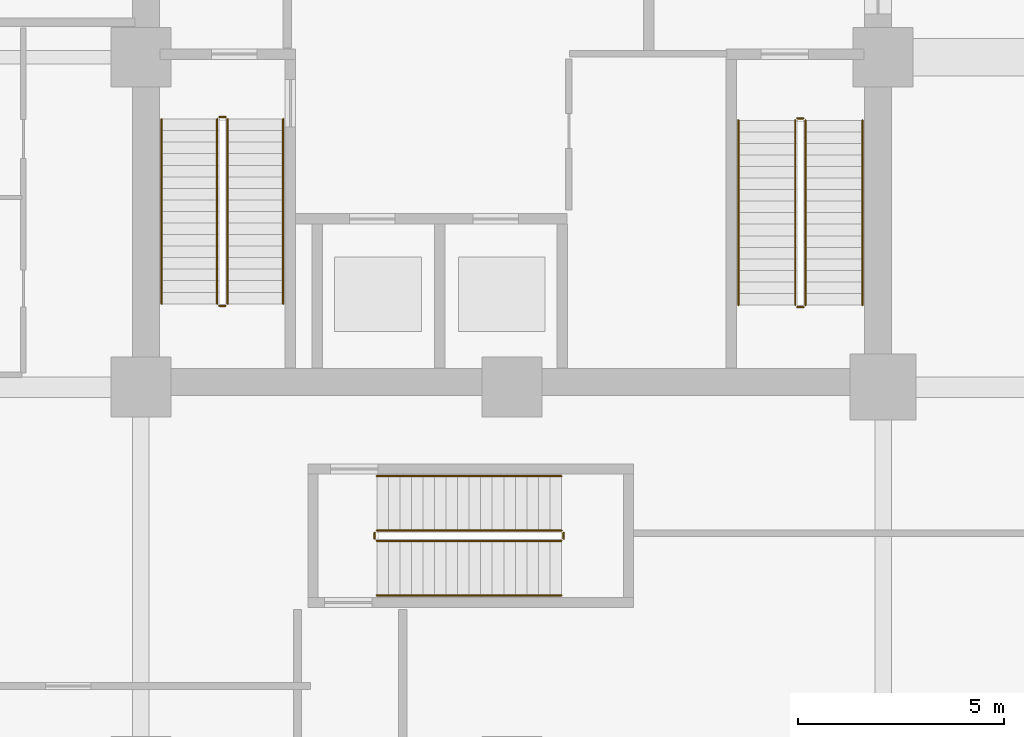
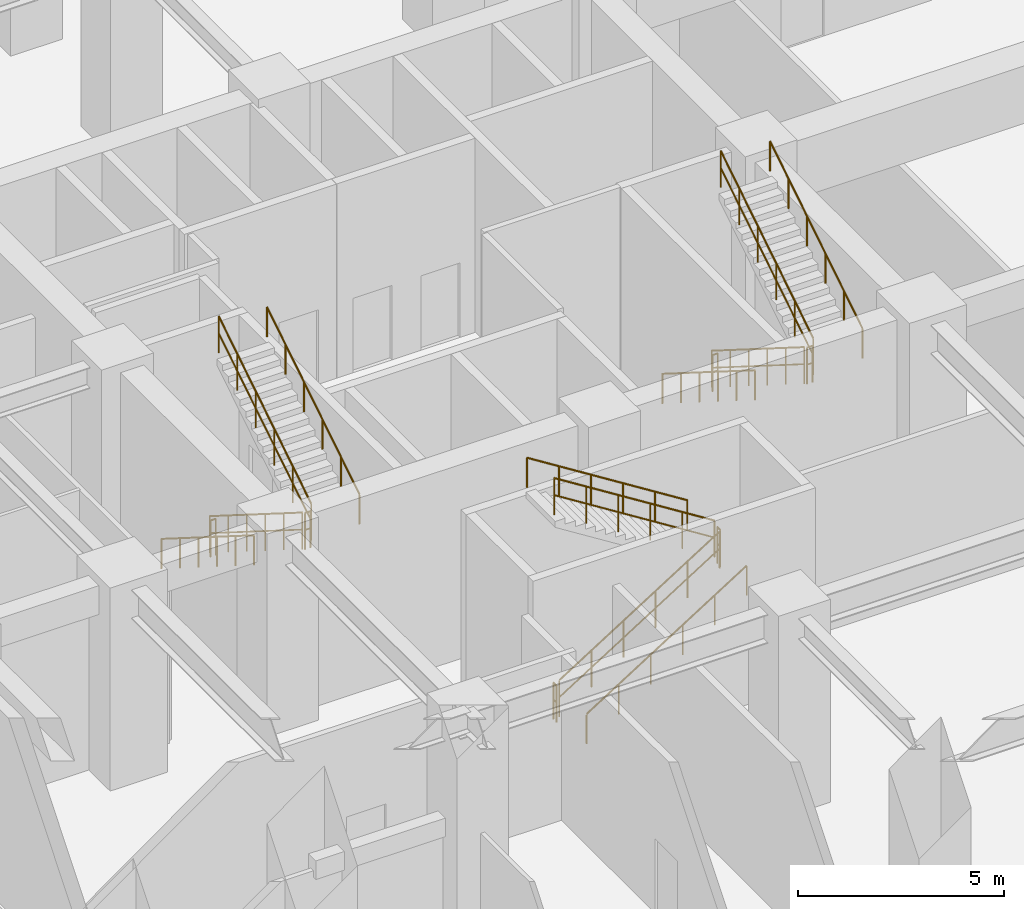
# One storey, part 9 of 13: 18 railings.
"""IFC4 building model written with IfcOpenShell, lengths in metres."""

from ifc_helpers import new_model, si_unit, direction, frame, origin, origin_2d, place, context, subcontext, project, spatial, circle, extrude, material, type_object, element, save


model = new_model("IFC4")

# Units and contexts
model_context = context("Model", 3, precision=1e-05, world=origin(), true_north=direction((0.0, 1.0)))
body_context = subcontext(model_context, "Body", "Model", "MODEL_VIEW")
ifc_project = project(units=[si_unit("LENGTHUNIT", "METRE"), si_unit("AREAUNIT", "SQUARE_METRE"), si_unit("VOLUMEUNIT", "CUBIC_METRE"), si_unit("PLANEANGLEUNIT", "RADIAN"), si_unit("MASSUNIT", "GRAM", prefix="KILO")], contexts=[model_context])

# Site, building, storey
site_placement = place(None, origin())
site = spatial("IfcSite", under=ifc_project, at=site_placement, CompositionType="ELEMENT")
building_placement = place(site_placement, origin())
building = spatial("IfcBuilding", under=site, at=building_placement, Name="Torre Montelarca", CompositionType="ELEMENT")
storey_placement = place(building_placement, origin())
storey = spatial("IfcBuildingStorey", under=building, at=storey_placement, Name="L01", CompositionType="ELEMENT", Elevation=0.0)

# Railings
ifc_material_1 = material(Name="Powder-coated steel ASTM A500 Grade C", Category="steel")
railing_type_1 = type_object("IfcRailingType", Name="RL-GUARD-1100", PredefinedType="BALUSTRADE", material=ifc_material_1)
railing_1_placement = place(storey_placement, frame((10.85009765625, 30.5, 0.176513671875)))
element("IfcRailing", 1, at=railing_1_placement, inside=storey, type_object=railing_type_1, Name="L01 ST1 stair guard 1", PredefinedType="BALUSTRADE", context=body_context, shape_type="SweptSolid", body=[
    extrude(circle(Radius=0.02392578125, at=origin_2d()), frame((0.0, 0.0, 1.076171875), z_axis=(0.0, -0.845997938375, 0.533186166611), x_axis=(1.0, 0.0, 0.0)), (0.0, 0.0, 1.0), 5.29541015625),
    extrude(circle(Radius=0.02099609375, at=origin_2d()), frame((0.0, 0.0, 0.572021484375), z_axis=(0.0, -0.845997938375, 0.533186166611), x_axis=(1.0, 0.0, 0.0)), (0.0, 0.0, 1.0), 5.29541015625),
    extrude(circle(Radius=0.02099609375, at=origin_2d()), origin(), (0.0, 0.0, 1.0), 1.052001953125),
    extrude(circle(Radius=0.02099609375, at=origin_2d()), frame((0.0, -0.89599609375, 0.564697265625)), (0.0, 0.0, 1.0), 1.052001953125),
    extrude(circle(Radius=0.02099609375, at=origin_2d()), frame((0.0, -1.7919921875, 1.12939453125)), (0.0, 0.0, 1.0), 1.052001953125),
    extrude(circle(Radius=0.02099609375, at=origin_2d()), frame((0.0, -2.68798828125, 1.694091796875)), (0.0, 0.0, 1.0), 1.052001953125),
    extrude(circle(Radius=0.02099609375, at=origin_2d()), frame((0.0, -3.583984375, 2.2587890625)), (0.0, 0.0, 1.0), 1.052001953125),
    extrude(circle(Radius=0.02099609375, at=origin_2d()), frame((0.0, -4.47998046875, 2.823486328125)), (0.0, 0.0, 1.0), 1.052001953125),
])
railing_2_placement = place(storey_placement, frame((10.89990234375, 25.969970703125, 3.0)))
element("IfcRailing", 2, at=railing_2_placement, inside=storey, type_object=railing_type_1, Name="L01 ST1 stair guard 2", PredefinedType="BALUSTRADE", context=body_context, shape_type="SweptSolid", body=[
    extrude(circle(Radius=0.02392578125, at=origin_2d()), frame((0.0, 0.0, 1.076171875), z_axis=(1.0, 0.0, 0.0), x_axis=(0.0, 1.0, 0.0)), (0.0, 0.0, 1.0), 0.150146484375),
    extrude(circle(Radius=0.02099609375, at=origin_2d()), frame((0.0, 0.0, 0.572021484375), z_axis=(1.0, 0.0, 0.0), x_axis=(0.0, 1.0, 0.0)), (0.0, 0.0, 1.0), 0.150146484375),
    extrude(circle(Radius=0.02099609375, at=origin_2d()), origin(), (0.0, 0.0, 1.0), 1.052001953125),
    extrude(circle(Radius=0.02099609375, at=origin_2d()), frame((0.150146484375, 0.0, 0.0)), (0.0, 0.0, 1.0), 1.052001953125),
])
railing_3_placement = place(storey_placement, frame((11.10009765625, 26.02001953125, 3.176513671875)))
element("IfcRailing", 3, at=railing_3_placement, inside=storey, type_object=railing_type_1, Name="L01 ST1 stair guard 3", PredefinedType="BALUSTRADE", context=body_context, shape_type="SweptSolid", body=[
    extrude(circle(Radius=0.02392578125, at=origin_2d()), frame((0.0, 0.0, 1.076171875), z_axis=(0.0, 0.845997938375, 0.533186166611), x_axis=(-1.0, 0.0, 0.0)), (0.0, 0.0, 1.0), 5.29541015625),
    extrude(circle(Radius=0.02099609375, at=origin_2d()), frame((0.0, 0.0, 0.572021484375), z_axis=(0.0, 0.845997938375, 0.533186166611), x_axis=(-1.0, 0.0, 0.0)), (0.0, 0.0, 1.0), 5.29541015625),
    extrude(circle(Radius=0.02099609375, at=origin_2d()), origin(), (0.0, 0.0, 1.0), 1.052001953125),
    extrude(circle(Radius=0.02099609375, at=origin_2d()), frame((0.0, 0.89599609375, 0.564697265625)), (0.0, 0.0, 1.0), 1.052001953125),
    extrude(circle(Radius=0.02099609375, at=origin_2d()), frame((0.0, 1.7919921875, 1.12939453125)), (0.0, 0.0, 1.0), 1.052001953125),
    extrude(circle(Radius=0.02099609375, at=origin_2d()), frame((0.0, 2.68798828125, 1.694091796875)), (0.0, 0.0, 1.0), 1.052001953125),
    extrude(circle(Radius=0.02099609375, at=origin_2d()), frame((0.0, 3.583984375, 2.2587890625)), (0.0, 0.0, 1.0), 1.052001953125),
    extrude(circle(Radius=0.02099609375, at=origin_2d()), frame((0.0, 4.47998046875, 2.823486328125)), (0.0, 0.0, 1.0), 1.052001953125),
])
railing_4_placement = place(storey_placement, frame((10.89990234375, 30.550048828125, 0.0)))
element("IfcRailing", 4, at=railing_4_placement, inside=storey, type_object=railing_type_1, Name="L01 ST1 stair guard 4", PredefinedType="BALUSTRADE", context=body_context, shape_type="SweptSolid", body=[
    extrude(circle(Radius=0.02392578125, at=origin_2d()), frame((0.0, 0.0, 1.076171875), z_axis=(1.0, 0.0, 0.0), x_axis=(0.0, 1.0, 0.0)), (0.0, 0.0, 1.0), 0.150146484375),
    extrude(circle(Radius=0.02099609375, at=origin_2d()), frame((0.0, 0.0, 0.572021484375), z_axis=(1.0, 0.0, 0.0), x_axis=(0.0, 1.0, 0.0)), (0.0, 0.0, 1.0), 0.150146484375),
    extrude(circle(Radius=0.02099609375, at=origin_2d()), origin(), (0.0, 0.0, 1.0), 1.052001953125),
    extrude(circle(Radius=0.02099609375, at=origin_2d()), frame((0.150146484375, 0.0, 0.0)), (0.0, 0.0, 1.0), 1.052001953125),
])
railing_5_placement = place(storey_placement, frame((24.8701171875, 30.469970703125, 0.176513671875)))
element("IfcRailing", 5, at=railing_5_placement, inside=storey, type_object=railing_type_1, Name="L01 ST2 stair guard 1", PredefinedType="BALUSTRADE", context=body_context, shape_type="SweptSolid", body=[
    extrude(circle(Radius=0.02392578125, at=origin_2d()), frame((0.0, 0.0, 1.076171875), z_axis=(0.0, -0.845997938375, 0.533186166611), x_axis=(1.0, 0.0, 0.0)), (0.0, 0.0, 1.0), 5.29541015625),
    extrude(circle(Radius=0.02099609375, at=origin_2d()), frame((0.0, 0.0, 0.572021484375), z_axis=(0.0, -0.845997938375, 0.533186166611), x_axis=(1.0, 0.0, 0.0)), (0.0, 0.0, 1.0), 5.29541015625),
    extrude(circle(Radius=0.02099609375, at=origin_2d()), origin(), (0.0, 0.0, 1.0), 1.052001953125),
    extrude(circle(Radius=0.02099609375, at=origin_2d()), frame((0.0, -0.89599609375, 0.564697265625)), (0.0, 0.0, 1.0), 1.052001953125),
    extrude(circle(Radius=0.02099609375, at=origin_2d()), frame((0.0, -1.7919921875, 1.12939453125)), (0.0, 0.0, 1.0), 1.052001953125),
    extrude(circle(Radius=0.02099609375, at=origin_2d()), frame((0.0, -2.68798828125, 1.694091796875)), (0.0, 0.0, 1.0), 1.052001953125),
    extrude(circle(Radius=0.02099609375, at=origin_2d()), frame((0.0, -3.583984375, 2.2587890625)), (0.0, 0.0, 1.0), 1.052001953125),
    extrude(circle(Radius=0.02099609375, at=origin_2d()), frame((0.0, -4.47998046875, 2.823486328125)), (0.0, 0.0, 1.0), 1.052001953125),
])
railing_6_placement = place(storey_placement, frame((24.919921875, 25.93994140625, 3.0)))
element("IfcRailing", 6, at=railing_6_placement, inside=storey, type_object=railing_type_1, Name="L01 ST2 stair guard 2", PredefinedType="BALUSTRADE", context=body_context, shape_type="SweptSolid", body=[
    extrude(circle(Radius=0.02392578125, at=origin_2d()), frame((0.0, 0.0, 1.076171875), z_axis=(1.0, 0.0, 0.0), x_axis=(0.0, 1.0, 0.0)), (0.0, 0.0, 1.0), 0.150146484375),
    extrude(circle(Radius=0.02099609375, at=origin_2d()), frame((0.0, 0.0, 0.572021484375), z_axis=(1.0, 0.0, 0.0), x_axis=(0.0, 1.0, 0.0)), (0.0, 0.0, 1.0), 0.150146484375),
    extrude(circle(Radius=0.02099609375, at=origin_2d()), origin(), (0.0, 0.0, 1.0), 1.052001953125),
    extrude(circle(Radius=0.02099609375, at=origin_2d()), frame((0.150146484375, 0.0, 0.0)), (0.0, 0.0, 1.0), 1.052001953125),
])
railing_7_placement = place(storey_placement, frame((25.1201171875, 25.989990234375, 3.176513671875)))
element("IfcRailing", 7, at=railing_7_placement, inside=storey, type_object=railing_type_1, Name="L01 ST2 stair guard 3", PredefinedType="BALUSTRADE", context=body_context, shape_type="SweptSolid", body=[
    extrude(circle(Radius=0.02392578125, at=origin_2d()), frame((0.0, 0.0, 1.076171875), z_axis=(0.0, 0.845997938375, 0.533186166611), x_axis=(-1.0, 0.0, 0.0)), (0.0, 0.0, 1.0), 5.29541015625),
    extrude(circle(Radius=0.02099609375, at=origin_2d()), frame((0.0, 0.0, 0.572021484375), z_axis=(0.0, 0.845997938375, 0.533186166611), x_axis=(-1.0, 0.0, 0.0)), (0.0, 0.0, 1.0), 5.29541015625),
    extrude(circle(Radius=0.02099609375, at=origin_2d()), origin(), (0.0, 0.0, 1.0), 1.052001953125),
    extrude(circle(Radius=0.02099609375, at=origin_2d()), frame((0.0, 0.89599609375, 0.564697265625)), (0.0, 0.0, 1.0), 1.052001953125),
    extrude(circle(Radius=0.02099609375, at=origin_2d()), frame((0.0, 1.7919921875, 1.12939453125)), (0.0, 0.0, 1.0), 1.052001953125),
    extrude(circle(Radius=0.02099609375, at=origin_2d()), frame((0.0, 2.68798828125, 1.694091796875)), (0.0, 0.0, 1.0), 1.052001953125),
    extrude(circle(Radius=0.02099609375, at=origin_2d()), frame((0.0, 3.583984375, 2.2587890625)), (0.0, 0.0, 1.0), 1.052001953125),
    extrude(circle(Radius=0.02099609375, at=origin_2d()), frame((0.0, 4.47998046875, 2.823486328125)), (0.0, 0.0, 1.0), 1.052001953125),
])
railing_8_placement = place(storey_placement, frame((24.919921875, 30.52001953125, 0.0)))
element("IfcRailing", 8, at=railing_8_placement, inside=storey, type_object=railing_type_1, Name="L01 ST2 stair guard 4", PredefinedType="BALUSTRADE", context=body_context, shape_type="SweptSolid", body=[
    extrude(circle(Radius=0.02392578125, at=origin_2d()), frame((0.0, 0.0, 1.076171875), z_axis=(1.0, 0.0, 0.0), x_axis=(0.0, 1.0, 0.0)), (0.0, 0.0, 1.0), 0.150146484375),
    extrude(circle(Radius=0.02099609375, at=origin_2d()), frame((0.0, 0.0, 0.572021484375), z_axis=(1.0, 0.0, 0.0), x_axis=(0.0, 1.0, 0.0)), (0.0, 0.0, 1.0), 0.150146484375),
    extrude(circle(Radius=0.02099609375, at=origin_2d()), origin(), (0.0, 0.0, 1.0), 1.052001953125),
    extrude(circle(Radius=0.02099609375, at=origin_2d()), frame((0.150146484375, 0.0, 0.0)), (0.0, 0.0, 1.0), 1.052001953125),
])
railing_9_placement = place(storey_placement, frame((14.719970703125, 20.27001953125, 0.176513671875)))
element("IfcRailing", 9, at=railing_9_placement, inside=storey, type_object=railing_type_1, Name="L01 ST3 stair guard 1", PredefinedType="BALUSTRADE", context=body_context, shape_type="SweptSolid", body=[
    extrude(circle(Radius=0.02392578125, at=origin_2d()), frame((0.0, 0.0, 1.076171875), z_axis=(0.845997938375, 0.0, 0.533186166611), x_axis=(0.0, 1.0, 0.0)), (0.0, 0.0, 1.0), 5.29541015625),
    extrude(circle(Radius=0.02099609375, at=origin_2d()), frame((0.0, 0.0, 0.572021484375), z_axis=(0.845997938375, 0.0, 0.533186166611), x_axis=(0.0, 1.0, 0.0)), (0.0, 0.0, 1.0), 5.29541015625),
    extrude(circle(Radius=0.02099609375, at=origin_2d()), origin(), (0.0, 0.0, 1.0), 1.052001953125),
    extrude(circle(Radius=0.02099609375, at=origin_2d()), frame((0.89599609375, 0.0, 0.564697265625)), (0.0, 0.0, 1.0), 1.052001953125),
    extrude(circle(Radius=0.02099609375, at=origin_2d()), frame((1.7919921875, 0.0, 1.12939453125)), (0.0, 0.0, 1.0), 1.052001953125),
    extrude(circle(Radius=0.02099609375, at=origin_2d()), frame((2.68798828125, 0.0, 1.694091796875)), (0.0, 0.0, 1.0), 1.052001953125),
    extrude(circle(Radius=0.02099609375, at=origin_2d()), frame((3.583984375, 0.0, 2.2587890625)), (0.0, 0.0, 1.0), 1.052001953125),
    extrude(circle(Radius=0.02099609375, at=origin_2d()), frame((4.47998046875, 0.0, 2.823486328125)), (0.0, 0.0, 1.0), 1.052001953125),
])
railing_10_placement = place(storey_placement, frame((19.25, 20.320068359375, 3.0)))
element("IfcRailing", 10, at=railing_10_placement, inside=storey, type_object=railing_type_1, Name="L01 ST3 stair guard 2", PredefinedType="BALUSTRADE", context=body_context, shape_type="SweptSolid", body=[
    extrude(circle(Radius=0.02392578125, at=origin_2d()), frame((0.0, 0.0, 1.076171875), z_axis=(0.0, 1.0, 0.0), x_axis=(-1.0, 0.0, 0.0)), (0.0, 0.0, 1.0), 0.14990234375),
    extrude(circle(Radius=0.02099609375, at=origin_2d()), frame((0.0, 0.0, 0.572021484375), z_axis=(0.0, 1.0, 0.0), x_axis=(-1.0, 0.0, 0.0)), (0.0, 0.0, 1.0), 0.14990234375),
    extrude(circle(Radius=0.02099609375, at=origin_2d()), origin(), (0.0, 0.0, 1.0), 1.052001953125),
    extrude(circle(Radius=0.02099609375, at=origin_2d()), frame((0.0, 0.14990234375, 0.0)), (0.0, 0.0, 1.0), 1.052001953125),
])
railing_11_placement = place(storey_placement, frame((19.199951171875, 20.52001953125, 3.176513671875)))
element("IfcRailing", 11, at=railing_11_placement, inside=storey, type_object=railing_type_1, Name="L01 ST3 stair guard 3", PredefinedType="BALUSTRADE", context=body_context, shape_type="SweptSolid", body=[
    extrude(circle(Radius=0.02392578125, at=origin_2d()), frame((0.0, 0.0, 1.076171875), z_axis=(-0.845997938375, 0.0, 0.533186166611), x_axis=(0.0, -1.0, 0.0)), (0.0, 0.0, 1.0), 5.29541015625),
    extrude(circle(Radius=0.02099609375, at=origin_2d()), frame((0.0, 0.0, 0.572021484375), z_axis=(-0.845997938375, 0.0, 0.533186166611), x_axis=(0.0, -1.0, 0.0)), (0.0, 0.0, 1.0), 5.29541015625),
    extrude(circle(Radius=0.02099609375, at=origin_2d()), origin(), (0.0, 0.0, 1.0), 1.052001953125),
    extrude(circle(Radius=0.02099609375, at=origin_2d()), frame((-0.89599609375, 0.0, 0.564697265625)), (0.0, 0.0, 1.0), 1.052001953125),
    extrude(circle(Radius=0.02099609375, at=origin_2d()), frame((-1.7919921875, 0.0, 1.12939453125)), (0.0, 0.0, 1.0), 1.052001953125),
    extrude(circle(Radius=0.02099609375, at=origin_2d()), frame((-2.68798828125, 0.0, 1.694091796875)), (0.0, 0.0, 1.0), 1.052001953125),
    extrude(circle(Radius=0.02099609375, at=origin_2d()), frame((-3.583984375, 0.0, 2.2587890625)), (0.0, 0.0, 1.0), 1.052001953125),
    extrude(circle(Radius=0.02099609375, at=origin_2d()), frame((-4.47998046875, 0.0, 2.823486328125)), (0.0, 0.0, 1.0), 1.052001953125),
])
railing_12_placement = place(storey_placement, frame((14.669921875, 20.320068359375, 0.0)))
element("IfcRailing", 12, at=railing_12_placement, inside=storey, type_object=railing_type_1, Name="L01 ST3 stair guard 4", PredefinedType="BALUSTRADE", context=body_context, shape_type="SweptSolid", body=[
    extrude(circle(Radius=0.02392578125, at=origin_2d()), frame((0.0, 0.0, 1.076171875), z_axis=(0.0, 1.0, 0.0), x_axis=(-1.0, 0.0, 0.0)), (0.0, 0.0, 1.0), 0.14990234375),
    extrude(circle(Radius=0.02099609375, at=origin_2d()), frame((0.0, 0.0, 0.572021484375), z_axis=(0.0, 1.0, 0.0), x_axis=(-1.0, 0.0, 0.0)), (0.0, 0.0, 1.0), 0.14990234375),
    extrude(circle(Radius=0.02099609375, at=origin_2d()), origin(), (0.0, 0.0, 1.0), 1.052001953125),
    extrude(circle(Radius=0.02099609375, at=origin_2d()), frame((0.0, 0.14990234375, 0.0)), (0.0, 0.0, 1.0), 1.052001953125),
])
ifc_material_2 = material(Name="Brushed stainless steel AISI 316", Category="steel")
railing_type_2 = type_object("IfcRailingType", Name="RL-HANDRAIL-900", PredefinedType="HANDRAIL", material=ifc_material_2)
railing_13_placement = place(storey_placement, frame((9.5, 30.5, 0.176513671875)))
element("IfcRailing", 13, at=railing_13_placement, inside=storey, type_object=railing_type_2, Name="L01 ST1 stair handrail 1", PredefinedType="HANDRAIL", context=body_context, shape_type="SweptSolid", body=[
    extrude(circle(Radius=0.02392578125, at=origin_2d()), frame((0.0, 0.0, 0.8759765625), z_axis=(0.0, -0.845997938375, 0.533186166611), x_axis=(1.0, 0.0, 0.0)), (0.0, 0.0, 1.0), 5.29541015625),
    extrude(circle(Radius=0.02099609375, at=origin_2d()), origin(), (0.0, 0.0, 1.0), 0.851806640625),
    extrude(circle(Radius=0.02099609375, at=origin_2d()), frame((0.0, -0.89599609375, 0.564697265625)), (0.0, 0.0, 1.0), 0.851806640625),
    extrude(circle(Radius=0.02099609375, at=origin_2d()), frame((0.0, -1.7919921875, 1.12939453125)), (0.0, 0.0, 1.0), 0.851806640625),
    extrude(circle(Radius=0.02099609375, at=origin_2d()), frame((0.0, -2.68798828125, 1.694091796875)), (0.0, 0.0, 1.0), 0.851806640625),
    extrude(circle(Radius=0.02099609375, at=origin_2d()), frame((0.0, -3.583984375, 2.2587890625)), (0.0, 0.0, 1.0), 0.851806640625),
    extrude(circle(Radius=0.02099609375, at=origin_2d()), frame((0.0, -4.47998046875, 2.823486328125)), (0.0, 0.0, 1.0), 0.851806640625),
])
railing_14_placement = place(storey_placement, frame((12.449951171875, 26.02001953125, 3.176513671875)))
element("IfcRailing", 14, at=railing_14_placement, inside=storey, type_object=railing_type_2, Name="L01 ST1 stair handrail 2", PredefinedType="HANDRAIL", context=body_context, shape_type="SweptSolid", body=[
    extrude(circle(Radius=0.02392578125, at=origin_2d()), frame((0.0, 0.0, 0.8759765625), z_axis=(0.0, 0.845997938375, 0.533186166611), x_axis=(-1.0, 0.0, 0.0)), (0.0, 0.0, 1.0), 5.29541015625),
    extrude(circle(Radius=0.02099609375, at=origin_2d()), origin(), (0.0, 0.0, 1.0), 0.851806640625),
    extrude(circle(Radius=0.02099609375, at=origin_2d()), frame((0.0, 0.89599609375, 0.564697265625)), (0.0, 0.0, 1.0), 0.851806640625),
    extrude(circle(Radius=0.02099609375, at=origin_2d()), frame((0.0, 1.7919921875, 1.12939453125)), (0.0, 0.0, 1.0), 0.851806640625),
    extrude(circle(Radius=0.02099609375, at=origin_2d()), frame((0.0, 2.68798828125, 1.694091796875)), (0.0, 0.0, 1.0), 0.851806640625),
    extrude(circle(Radius=0.02099609375, at=origin_2d()), frame((0.0, 3.583984375, 2.2587890625)), (0.0, 0.0, 1.0), 0.851806640625),
    extrude(circle(Radius=0.02099609375, at=origin_2d()), frame((0.0, 4.47998046875, 2.823486328125)), (0.0, 0.0, 1.0), 0.851806640625),
])
railing_15_placement = place(storey_placement, frame((23.489990234375, 30.469970703125, 0.176513671875)))
element("IfcRailing", 15, at=railing_15_placement, inside=storey, type_object=railing_type_2, Name="L01 ST2 stair handrail 1", PredefinedType="HANDRAIL", context=body_context, shape_type="SweptSolid", body=[
    extrude(circle(Radius=0.02392578125, at=origin_2d()), frame((0.0, 0.0, 0.8759765625), z_axis=(0.0, -0.845997938375, 0.533186166611), x_axis=(1.0, 0.0, 0.0)), (0.0, 0.0, 1.0), 5.29541015625),
    extrude(circle(Radius=0.02099609375, at=origin_2d()), origin(), (0.0, 0.0, 1.0), 0.851806640625),
    extrude(circle(Radius=0.02099609375, at=origin_2d()), frame((0.0, -0.89599609375, 0.564697265625)), (0.0, 0.0, 1.0), 0.851806640625),
    extrude(circle(Radius=0.02099609375, at=origin_2d()), frame((0.0, -1.7919921875, 1.12939453125)), (0.0, 0.0, 1.0), 0.851806640625),
    extrude(circle(Radius=0.02099609375, at=origin_2d()), frame((0.0, -2.68798828125, 1.694091796875)), (0.0, 0.0, 1.0), 0.851806640625),
    extrude(circle(Radius=0.02099609375, at=origin_2d()), frame((0.0, -3.583984375, 2.2587890625)), (0.0, 0.0, 1.0), 0.851806640625),
    extrude(circle(Radius=0.02099609375, at=origin_2d()), frame((0.0, -4.47998046875, 2.823486328125)), (0.0, 0.0, 1.0), 0.851806640625),
])
railing_16_placement = place(storey_placement, frame((26.5, 25.989990234375, 3.176513671875)))
element("IfcRailing", 16, at=railing_16_placement, inside=storey, type_object=railing_type_2, Name="L01 ST2 stair handrail 2", PredefinedType="HANDRAIL", context=body_context, shape_type="SweptSolid", body=[
    extrude(circle(Radius=0.02392578125, at=origin_2d()), frame((0.0, 0.0, 0.8759765625), z_axis=(0.0, 0.845997938375, 0.533186166611), x_axis=(-1.0, 0.0, 0.0)), (0.0, 0.0, 1.0), 5.29541015625),
    extrude(circle(Radius=0.02099609375, at=origin_2d()), origin(), (0.0, 0.0, 1.0), 0.851806640625),
    extrude(circle(Radius=0.02099609375, at=origin_2d()), frame((0.0, 0.89599609375, 0.564697265625)), (0.0, 0.0, 1.0), 0.851806640625),
    extrude(circle(Radius=0.02099609375, at=origin_2d()), frame((0.0, 1.7919921875, 1.12939453125)), (0.0, 0.0, 1.0), 0.851806640625),
    extrude(circle(Radius=0.02099609375, at=origin_2d()), frame((0.0, 2.68798828125, 1.694091796875)), (0.0, 0.0, 1.0), 0.851806640625),
    extrude(circle(Radius=0.02099609375, at=origin_2d()), frame((0.0, 3.583984375, 2.2587890625)), (0.0, 0.0, 1.0), 0.851806640625),
    extrude(circle(Radius=0.02099609375, at=origin_2d()), frame((0.0, 4.47998046875, 2.823486328125)), (0.0, 0.0, 1.0), 0.851806640625),
])
railing_17_placement = place(storey_placement, frame((14.719970703125, 18.949951171875, 0.176513671875)))
element("IfcRailing", 17, at=railing_17_placement, inside=storey, type_object=railing_type_2, Name="L01 ST3 stair handrail 1", PredefinedType="HANDRAIL", context=body_context, shape_type="SweptSolid", body=[
    extrude(circle(Radius=0.02392578125, at=origin_2d()), frame((0.0, 0.0, 0.8759765625), z_axis=(0.845997938375, 0.0, 0.533186166611), x_axis=(0.0, 1.0, 0.0)), (0.0, 0.0, 1.0), 5.29541015625),
    extrude(circle(Radius=0.02099609375, at=origin_2d()), origin(), (0.0, 0.0, 1.0), 0.851806640625),
    extrude(circle(Radius=0.02099609375, at=origin_2d()), frame((0.89599609375, 0.0, 0.564697265625)), (0.0, 0.0, 1.0), 0.851806640625),
    extrude(circle(Radius=0.02099609375, at=origin_2d()), frame((1.7919921875, 0.0, 1.12939453125)), (0.0, 0.0, 1.0), 0.851806640625),
    extrude(circle(Radius=0.02099609375, at=origin_2d()), frame((2.68798828125, 0.0, 1.694091796875)), (0.0, 0.0, 1.0), 0.851806640625),
    extrude(circle(Radius=0.02099609375, at=origin_2d()), frame((3.583984375, 0.0, 2.2587890625)), (0.0, 0.0, 1.0), 0.851806640625),
    extrude(circle(Radius=0.02099609375, at=origin_2d()), frame((4.47998046875, 0.0, 2.823486328125)), (0.0, 0.0, 1.0), 0.851806640625),
])
railing_18_placement = place(storey_placement, frame((19.199951171875, 21.840087890625, 3.176513671875)))
element("IfcRailing", 18, at=railing_18_placement, inside=storey, type_object=railing_type_2, Name="L01 ST3 stair handrail 2", PredefinedType="HANDRAIL", context=body_context, shape_type="SweptSolid", body=[
    extrude(circle(Radius=0.02392578125, at=origin_2d()), frame((0.0, 0.0, 0.8759765625), z_axis=(-0.845997938375, 0.0, 0.533186166611), x_axis=(0.0, -1.0, 0.0)), (0.0, 0.0, 1.0), 5.29541015625),
    extrude(circle(Radius=0.02099609375, at=origin_2d()), origin(), (0.0, 0.0, 1.0), 0.851806640625),
    extrude(circle(Radius=0.02099609375, at=origin_2d()), frame((-0.89599609375, 0.0, 0.564697265625)), (0.0, 0.0, 1.0), 0.851806640625),
    extrude(circle(Radius=0.02099609375, at=origin_2d()), frame((-1.7919921875, 0.0, 1.12939453125)), (0.0, 0.0, 1.0), 0.851806640625),
    extrude(circle(Radius=0.02099609375, at=origin_2d()), frame((-2.68798828125, 0.0, 1.694091796875)), (0.0, 0.0, 1.0), 0.851806640625),
    extrude(circle(Radius=0.02099609375, at=origin_2d()), frame((-3.583984375, 0.0, 2.2587890625)), (0.0, 0.0, 1.0), 0.851806640625),
    extrude(circle(Radius=0.02099609375, at=origin_2d()), frame((-4.47998046875, 0.0, 2.823486328125)), (0.0, 0.0, 1.0), 0.851806640625),
])

save(model, "model.ifc")
